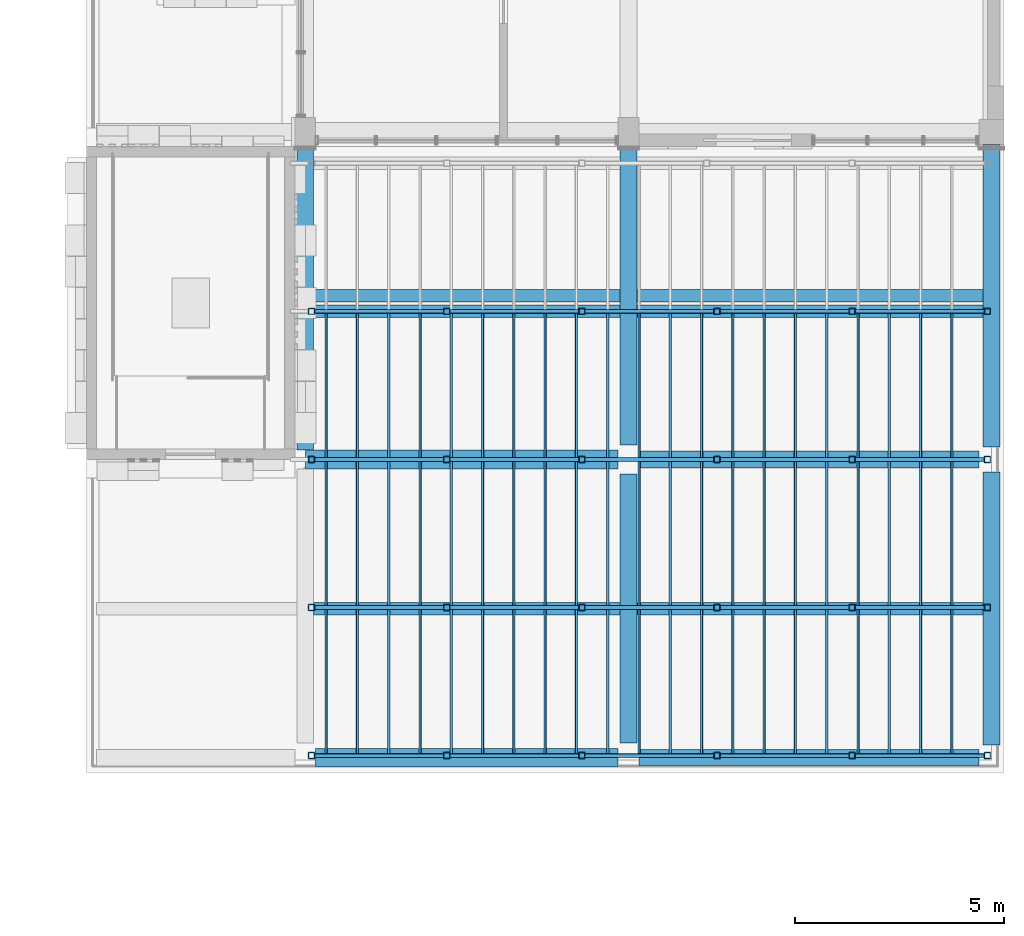
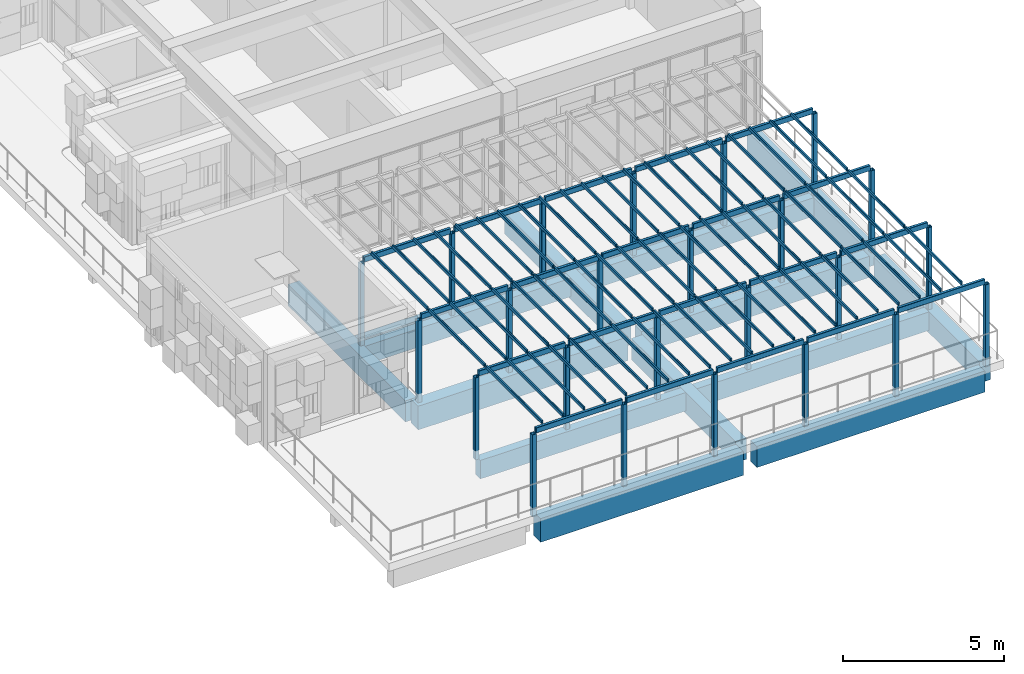
# One storey, part 3 of 26: 87 members, 35 beams.
"""IFC4 building model written with IfcOpenShell, lengths in metres."""

import ifcopenshell
import ifcopenshell.guid

model = None  # the IFC model being written
_history = None  # IfcOwnerHistory: only IFC2X3 demands one
_inside = {}  # id of a spatial element -> (the spatial element, [elements in it])
_under = {}  # id of a project, library or spatial element -> (it, [spatial elements below it])
_declared = {}  # id of a project -> (the project, [libraries it declares])
_typed = {}  # id of a type object -> (the type object, [elements of that type])
_made_of = {}  # id of a material, layer set ... -> (it, [elements and type objects made of it])


def new_model(schema):
    """Start an empty IFC model of exactly this schema.

    Asked for "IFC4X3", IfcOpenShell would pick the latest addendum, in which some entities
    have other attributes; the version numbers below select the first issue.
    IFC2X3 requires an IfcOwnerHistory on every rooted entity: one is made here for all.
    """
    global model, _history
    if schema == "IFC4X3":
        model = ifcopenshell.file(schema_version=(4, 3, 0, 0))
    else:
        model = ifcopenshell.file(schema=schema)
    _inside.clear()
    _under.clear()
    _declared.clear()
    _typed.clear()
    _made_of.clear()
    _history = None
    if model.schema == "IFC2X3":
        org = make("IfcOrganization", Name="unknown")
        user = make(
            "IfcPersonAndOrganization",
            ThePerson=make("IfcPerson", FamilyName="unknown"),
            TheOrganization=org,
        )
        app = make(
            "IfcApplication",
            ApplicationDeveloper=org,
            Version="unknown",
            ApplicationFullName="unknown",
            ApplicationIdentifier="unknown",
        )
        _history = make(
            "IfcOwnerHistory",
            OwningUser=user,
            OwningApplication=app,
            ChangeAction="ADDED",
            CreationDate=0,
        )
    return model


def make(cls, **values):
    """One entity of the class cls with the attributes given. An attribute that is None is left unset."""
    return model.create_entity(
        cls, **{name: value for name, value in values.items() if value is not None}
    )


def rooted(cls, **values):
    """An entity with a GlobalId (a new one), such as an element, a storey or a relation."""
    return make(cls, GlobalId=ifcopenshell.guid.new(), OwnerHistory=_history, **values)


def si_unit(unit_type, name, prefix=None):
    """IfcSIUnit, for example si_unit("LENGTHUNIT", "METRE", prefix="MILLI")."""
    return make("IfcSIUnit", UnitType=unit_type, Prefix=prefix, Name=name)


def assignment(units):
    """IfcUnitAssignment: the units of a project."""
    return None if units is None else make("IfcUnitAssignment", Units=units)


def point(xyz):
    """IfcCartesianPoint."""
    return None if xyz is None else make("IfcCartesianPoint", Coordinates=xyz)


def direction(xyz):
    """IfcDirection."""
    return None if xyz is None else make("IfcDirection", DirectionRatios=xyz)


def frame(location, z_axis=None, x_axis=None):
    """IfcAxis2Placement3D, a coordinate frame: its origin and axes. An axis left out is left unset."""
    return make(
        "IfcAxis2Placement3D",
        Location=point(location),
        Axis=direction(z_axis),
        RefDirection=direction(x_axis),
    )


def frame_2d(location, x_axis=None):
    """IfcAxis2Placement2D, a coordinate frame in the plane: its origin and x axis."""
    return make(
        "IfcAxis2Placement2D", Location=point(location), RefDirection=direction(x_axis)
    )


def origin():
    """The frame at (0, 0, 0) with its axes left unset."""
    return frame((0.0, 0.0, 0.0))


def origin_2d():
    """The frame at (0, 0) in the plane with its x axis left unset."""
    return frame_2d((0.0, 0.0))


def place(relative_to, where):
    """IfcLocalPlacement: puts the frame where relative to a parent placement (None: the world)."""
    return make(
        "IfcLocalPlacement", PlacementRelTo=relative_to, RelativePlacement=where
    )


def context(
    kind, dimensions, precision=None, world=None, true_north=None, identifier=None
):
    """IfcGeometricRepresentationContext, for example the 3D "Model" context."""
    return make(
        "IfcGeometricRepresentationContext",
        ContextIdentifier=identifier,
        ContextType=kind,
        CoordinateSpaceDimension=dimensions,
        Precision=precision,
        WorldCoordinateSystem=world,
        TrueNorth=true_north,
    )


def subcontext(parent, identifier, kind, view, scale=None):
    """IfcGeometricRepresentationSubContext, for example "Body" below "Model"."""
    return make(
        "IfcGeometricRepresentationSubContext",
        ContextIdentifier=identifier,
        ContextType=kind,
        ParentContext=parent,
        TargetScale=scale,
        TargetView=view,
    )


def project(units=None, contexts=None):
    """IfcProject with its units and contexts."""
    return rooted(
        "IfcProject",
        Name="project",
        RepresentationContexts=contexts,
        UnitsInContext=assignment(units),
    )


def spatial(cls, under=None, at=None, **own):
    """A site, building, storey or space (cls), placed at a placement, below another one or the project."""
    s = rooted(cls, ObjectPlacement=at, **own)
    if under is not None:
        _under.setdefault(under.id(), (under, []))[1].append(s)
    return s


def profile(cls, at=None, kind="AREA", **sizes):
    """A parametric profile (cls). Its sizes go by their IFC names, for example OverallWidth=200.0."""
    return make(cls, ProfileType=kind, Position=at, **sizes)


def rectangle(**sizes):
    """IfcRectangleProfileDef."""
    return profile("IfcRectangleProfileDef", **sizes)


def hollow_rectangle(**sizes):
    """IfcRectangleHollowProfileDef."""
    return profile("IfcRectangleHollowProfileDef", **sizes)


def extrude(swept, where, along, depth):
    """IfcExtrudedAreaSolid: the profile swept, set in the frame where, extruded along a direction by depth."""
    return make(
        "IfcExtrudedAreaSolid",
        SweptArea=swept,
        Position=where,
        ExtrudedDirection=direction(along),
        Depth=depth,
    )


def shape(context_of_items, identifier, shape_type, items):
    """IfcShapeRepresentation: the items that make up one representation, for example the "Body"."""
    return make(
        "IfcShapeRepresentation",
        ContextOfItems=context_of_items,
        RepresentationIdentifier=identifier,
        RepresentationType=shape_type,
        Items=items,
    )


def material(Name=None, Category=None):
    """IfcMaterial."""
    return make("IfcMaterial", Name=Name, Category=Category)


def material_profile(
    of_material, cross_section, Name=None, Category=None, Priority=None
):
    """IfcMaterialProfile: a cross section and its material."""
    return make(
        "IfcMaterialProfile",
        Name=Name,
        Material=of_material,
        Profile=cross_section,
        Priority=Priority,
        Category=Category,
    )


def profile_set(profiles, Name=None, composite=None):
    """IfcMaterialProfileSet."""
    return make(
        "IfcMaterialProfileSet",
        Name=Name,
        MaterialProfiles=profiles,
        CompositeProfile=composite,
    )


def made_of(thing, what):
    """Note that an element or type object is made of a material, layer set ...; save() writes the relation."""
    if what is not None:
        _made_of.setdefault(what.id(), (what, []))[1].append(thing)
    return thing


def type_object(cls, material=None, **own):
    """A type object (cls), such as IfcWallType, which elements share."""
    return made_of(rooted(cls, **own), material)


def element(
    cls,
    number,
    at=None,
    inside=None,
    cuts=None,
    type_object=None,
    material=None,
    context=None,
    identifier="Body",
    shape_type=None,
    held_by="IfcProductDefinitionShape",
    body=None,
    shapes=None,
    **own,
):
    """One element of the class cls, such as IfcWall. Its Tag is "e" and its number.

    at: its placement. inside: the storey or other place that contains it. cuts: it is an
    opening in that element (IfcRelVoidsElement). A single representation is given by context,
    identifier, shape_type and body (its items); several are given by shapes. held_by: the class
    of the entity that holds the representations. save() writes the other relations.
    """
    e = rooted(cls, Tag="e%d" % number, ObjectPlacement=at, **own)
    if body is not None:
        shapes = [shape(context, identifier, shape_type, body)]
    if shapes is not None:
        e.Representation = make(held_by, Representations=shapes)
    if inside is not None:
        _inside.setdefault(inside.id(), (inside, []))[1].append(e)
    if cuts is not None:
        rooted(
            "IfcRelVoidsElement", RelatingBuildingElement=cuts, RelatedOpeningElement=e
        )
    if type_object is not None:
        _typed.setdefault(type_object.id(), (type_object, []))[1].append(e)
    return made_of(e, material)


def aggregate(whole, parts):
    """IfcRelAggregates: a whole, such as a stair, and the parts it consists of."""
    return rooted("IfcRelAggregates", RelatingObject=whole, RelatedObjects=parts)


def save(model, path):
    """Write the relations noted so far, then the file.

    IfcRelAggregates (storeys below a building ...), IfcRelContainedInSpatialStructure (elements
    in a storey), IfcRelDefinesByType, IfcRelAssociatesMaterial and IfcRelDeclares: one each for
    every whole, place, type object, material and project.
    """
    for whole, parts in _under.values():
        aggregate(whole, parts)
    for where, things in _inside.values():
        rooted(
            "IfcRelContainedInSpatialStructure",
            RelatedElements=things,
            RelatingStructure=where,
        )
    for kind, things in _typed.values():
        rooted("IfcRelDefinesByType", RelatedObjects=things, RelatingType=kind)
    for what, things in _made_of.values():
        rooted("IfcRelAssociatesMaterial", RelatedObjects=things, RelatingMaterial=what)
    for by, libraries in _declared.values():
        rooted("IfcRelDeclares", RelatingContext=by, RelatedDefinitions=libraries)
    model.write(path)


model = new_model("IFC4")

# Units and contexts
model_context = context("Model", 3, precision=1e-05, world=origin(), true_north=direction((0.0, 1.0)))
body_context = subcontext(model_context, "Body", "Model", "MODEL_VIEW")
ifc_project = project(units=[si_unit("LENGTHUNIT", "METRE"), si_unit("AREAUNIT", "SQUARE_METRE"), si_unit("VOLUMEUNIT", "CUBIC_METRE"), si_unit("PLANEANGLEUNIT", "RADIAN"), si_unit("MASSUNIT", "GRAM", prefix="KILO")], contexts=[model_context])

# Site, building, storey
site_placement = place(None, origin())
site = spatial("IfcSite", under=ifc_project, at=site_placement, CompositionType="ELEMENT")
building_placement = place(site_placement, origin())
building = spatial("IfcBuilding", under=site, at=building_placement, Name="Sun Court Science Centre", CompositionType="ELEMENT")
storey_placement = place(building_placement, frame((0.0, 0.0, 29.25)))
storey = spatial("IfcBuildingStorey", under=building, at=storey_placement, Name="L06", CompositionType="ELEMENT", Elevation=29.25)

# Members
ifc_material_1 = material(Name="Steel S275", Category="steel")
ifc_material_profile_1 = material_profile(ifc_material_1, hollow_rectangle(XDim=0.14990234375, YDim=0.14990234375, WallThickness=0.008056640625, InnerFilletRadius=0.008056640625, OuterFilletRadius=0.011962890625, at=origin_2d()), Name="SHS 150x150x8")
ifc_profile_set_1 = profile_set([ifc_material_profile_1], Name="Steel S275")
member_type_1 = type_object("IfcMemberType", Name="Pergola post SHS 150x150x8", PredefinedType="POST", material=ifc_profile_set_1)
for number, where, z_axis, x_axis, name in (
    (1, (87.39990234375, 28.89990234375, -0.300048828125), (0.0, 0.0, 1.0), (1.0, 0.0, 0.0), "Pergola post 1.1"),
    (2, (87.39990234375, 32.449951171875, -0.300048828125), (0.0, 0.0, 1.0), (1.0, 0.0, 0.0), "Pergola post 1.2"),
    (3, (87.39990234375, 36.0, -0.300048828125), (0.0, 0.0, 1.0), (1.0, 0.0, 0.0), "Pergola post 1.3"),
    (4, (87.39990234375, 39.550048828125, -0.300048828125), (0.0, 0.0, 1.0), (1.0, 0.0, 0.0), "Pergola post 1.4"),
    (5, (90.639892578125, 28.89990234375, -0.300048828125), (0.0, 0.0, 1.0), (1.0, 0.0, 0.0), "Pergola post 2.1"),
    (6, (90.639892578125, 32.449951171875, -0.300048828125), (0.0, 0.0, 1.0), (1.0, 0.0, 0.0), "Pergola post 2.2"),
    (7, (90.639892578125, 36.0, -0.300048828125), (0.0, 0.0, 1.0), (1.0, 0.0, 0.0), "Pergola post 2.3"),
    (8, (90.639892578125, 39.550048828125, -0.300048828125), (0.0, 0.0, 1.0), (1.0, 0.0, 0.0), "Pergola post 2.4"),
    (9, (93.8798828125, 28.89990234375, -0.300048828125), (0.0, 0.0, 1.0), (1.0, 0.0, 0.0), "Pergola post 3.1"),
    (10, (93.8798828125, 32.449951171875, -0.300048828125), (0.0, 0.0, 1.0), (1.0, 0.0, 0.0), "Pergola post 3.2"),
    (11, (93.8798828125, 36.0, -0.300048828125), (0.0, 0.0, 1.0), (1.0, 0.0, 0.0), "Pergola post 3.3"),
    (12, (93.8798828125, 39.550048828125, -0.300048828125), (0.0, 0.0, 1.0), (1.0, 0.0, 0.0), "Pergola post 3.4"),
    (13, (97.1201171875, 28.89990234375, -0.300048828125), (0.0, 0.0, 1.0), (1.0, 0.0, 0.0), "Pergola post 4.1"),
    (14, (97.1201171875, 32.449951171875, -0.300048828125), (0.0, 0.0, 1.0), (1.0, 0.0, 0.0), "Pergola post 4.2"),
    (15, (97.1201171875, 36.0, -0.300048828125), (0.0, 0.0, 1.0), (1.0, 0.0, 0.0), "Pergola post 4.3"),
    (16, (97.1201171875, 39.550048828125, -0.300048828125), (0.0, 0.0, 1.0), (1.0, 0.0, 0.0), "Pergola post 4.4"),
    (17, (100.360107421875, 28.89990234375, -0.300048828125), (0.0, 0.0, 1.0), (1.0, 0.0, 0.0), "Pergola post 5.1"),
    (18, (100.360107421875, 32.449951171875, -0.300048828125), (0.0, 0.0, 1.0), (1.0, 0.0, 0.0), "Pergola post 5.2"),
    (19, (100.360107421875, 36.0, -0.300048828125), (0.0, 0.0, 1.0), (1.0, 0.0, 0.0), "Pergola post 5.3"),
    (20, (100.360107421875, 39.550048828125, -0.300048828125), (0.0, 0.0, 1.0), (1.0, 0.0, 0.0), "Pergola post 5.4"),
    (21, (103.60009765625, 28.89990234375, -0.300048828125), (0.0, 0.0, 1.0), (1.0, 0.0, 0.0), "Pergola post 6.1"),
    (22, (103.60009765625, 32.449951171875, -0.300048828125), (0.0, 0.0, 1.0), (1.0, 0.0, 0.0), "Pergola post 6.2"),
    (23, (103.60009765625, 36.0, -0.300048828125), (0.0, 0.0, 1.0), (1.0, 0.0, 0.0), "Pergola post 6.3"),
    (24, (103.60009765625, 39.550048828125, -0.300048828125), (0.0, 0.0, 1.0), (1.0, 0.0, 0.0), "Pergola post 6.4"),
):
    element("IfcMember", number, at=place(storey_placement, frame(where, z_axis=z_axis, x_axis=x_axis)), inside=storey, type_object=member_type_1, Name=name, PredefinedType="POST", context=body_context, shape_type="SweptSolid", body=[
        extrude(hollow_rectangle(XDim=0.14990234375, YDim=0.14990234375, WallThickness=0.008056640625, InnerFilletRadius=0.008056640625, OuterFilletRadius=0.011962890625, at=origin_2d()), origin(), (0.0, 0.0, 1.0), 3.10009765625),
    ])
ifc_material_2 = material(Name="Steel S275", Category="steel")
ifc_material_profile_2 = material_profile(ifc_material_2, hollow_rectangle(XDim=0.06005859375, YDim=0.1201171875, WallThickness=0.0048828125, InnerFilletRadius=0.0048828125, OuterFilletRadius=0.007568359375, at=origin_2d()), Name="RHS 120x60x5")
ifc_profile_set_2 = profile_set([ifc_material_profile_2], Name="Steel S275")
member_type_2 = type_object("IfcMemberType", Name="Pergola rafter RHS 120x60x5", PredefinedType="RAFTER", material=ifc_profile_set_2)
for number, where, z_axis, x_axis, name in (
    (25, (87.75, 28.949951171875, 3.06005859375), (0.0, 1.0, 0.0), (-1.0, 0.0, 0.0), "Pergola rafter"),
    (26, (87.75, 32.5, 3.06005859375), (0.0, 1.0, 0.0), (-1.0, 0.0, 0.0), "Pergola rafter"),
    (27, (87.75, 36.050048828125, 3.06005859375), (0.0, 1.0, 0.0), (-1.0, 0.0, 0.0), "Pergola rafter"),
    (28, (88.5, 28.949951171875, 3.06005859375), (0.0, 1.0, 0.0), (-1.0, 0.0, 0.0), "Pergola rafter"),
    (29, (88.5, 32.5, 3.06005859375), (0.0, 1.0, 0.0), (-1.0, 0.0, 0.0), "Pergola rafter"),
    (30, (88.5, 36.050048828125, 3.06005859375), (0.0, 1.0, 0.0), (-1.0, 0.0, 0.0), "Pergola rafter"),
    (31, (89.25, 28.949951171875, 3.06005859375), (0.0, 1.0, 0.0), (-1.0, 0.0, 0.0), "Pergola rafter"),
    (32, (89.25, 32.5, 3.06005859375), (0.0, 1.0, 0.0), (-1.0, 0.0, 0.0), "Pergola rafter"),
    (33, (89.25, 36.050048828125, 3.06005859375), (0.0, 1.0, 0.0), (-1.0, 0.0, 0.0), "Pergola rafter"),
    (34, (90.0, 28.949951171875, 3.06005859375), (0.0, 1.0, 0.0), (-1.0, 0.0, 0.0), "Pergola rafter"),
    (35, (90.0, 32.5, 3.06005859375), (0.0, 1.0, 0.0), (-1.0, 0.0, 0.0), "Pergola rafter"),
    (36, (90.0, 36.050048828125, 3.06005859375), (0.0, 1.0, 0.0), (-1.0, 0.0, 0.0), "Pergola rafter"),
    (37, (90.75, 28.949951171875, 3.06005859375), (0.0, 1.0, 0.0), (-1.0, 0.0, 0.0), "Pergola rafter"),
    (38, (90.75, 32.5, 3.06005859375), (0.0, 1.0, 0.0), (-1.0, 0.0, 0.0), "Pergola rafter"),
    (39, (90.75, 36.050048828125, 3.06005859375), (0.0, 1.0, 0.0), (-1.0, 0.0, 0.0), "Pergola rafter"),
    (40, (91.5, 28.949951171875, 3.06005859375), (0.0, 1.0, 0.0), (-1.0, 0.0, 0.0), "Pergola rafter"),
    (41, (91.5, 32.5, 3.06005859375), (0.0, 1.0, 0.0), (-1.0, 0.0, 0.0), "Pergola rafter"),
    (42, (91.5, 36.050048828125, 3.06005859375), (0.0, 1.0, 0.0), (-1.0, 0.0, 0.0), "Pergola rafter"),
    (43, (92.25, 28.949951171875, 3.06005859375), (0.0, 1.0, 0.0), (-1.0, 0.0, 0.0), "Pergola rafter"),
    (44, (92.25, 32.5, 3.06005859375), (0.0, 1.0, 0.0), (-1.0, 0.0, 0.0), "Pergola rafter"),
    (45, (92.25, 36.050048828125, 3.06005859375), (0.0, 1.0, 0.0), (-1.0, 0.0, 0.0), "Pergola rafter"),
    (46, (93.0, 28.949951171875, 3.06005859375), (0.0, 1.0, 0.0), (-1.0, 0.0, 0.0), "Pergola rafter"),
    (47, (93.0, 32.5, 3.06005859375), (0.0, 1.0, 0.0), (-1.0, 0.0, 0.0), "Pergola rafter"),
    (48, (93.0, 36.050048828125, 3.06005859375), (0.0, 1.0, 0.0), (-1.0, 0.0, 0.0), "Pergola rafter"),
    (49, (93.75, 28.949951171875, 3.06005859375), (0.0, 1.0, 0.0), (-1.0, 0.0, 0.0), "Pergola rafter"),
    (50, (93.75, 32.5, 3.06005859375), (0.0, 1.0, 0.0), (-1.0, 0.0, 0.0), "Pergola rafter"),
    (51, (93.75, 36.050048828125, 3.06005859375), (0.0, 1.0, 0.0), (-1.0, 0.0, 0.0), "Pergola rafter"),
    (52, (94.5, 28.949951171875, 3.06005859375), (0.0, 1.0, 0.0), (-1.0, 0.0, 0.0), "Pergola rafter"),
    (53, (94.5, 32.5, 3.06005859375), (0.0, 1.0, 0.0), (-1.0, 0.0, 0.0), "Pergola rafter"),
    (54, (94.5, 36.050048828125, 3.06005859375), (0.0, 1.0, 0.0), (-1.0, 0.0, 0.0), "Pergola rafter"),
    (55, (95.25, 28.949951171875, 3.06005859375), (0.0, 1.0, 0.0), (-1.0, 0.0, 0.0), "Pergola rafter"),
    (56, (95.25, 32.5, 3.06005859375), (0.0, 1.0, 0.0), (-1.0, 0.0, 0.0), "Pergola rafter"),
    (57, (95.25, 36.050048828125, 3.06005859375), (0.0, 1.0, 0.0), (-1.0, 0.0, 0.0), "Pergola rafter"),
    (58, (96.0, 28.949951171875, 3.06005859375), (0.0, 1.0, 0.0), (-1.0, 0.0, 0.0), "Pergola rafter"),
    (59, (96.0, 32.5, 3.06005859375), (0.0, 1.0, 0.0), (-1.0, 0.0, 0.0), "Pergola rafter"),
    (60, (96.0, 36.050048828125, 3.06005859375), (0.0, 1.0, 0.0), (-1.0, 0.0, 0.0), "Pergola rafter"),
    (61, (96.75, 28.949951171875, 3.06005859375), (0.0, 1.0, 0.0), (-1.0, 0.0, 0.0), "Pergola rafter"),
    (62, (96.75, 32.5, 3.06005859375), (0.0, 1.0, 0.0), (-1.0, 0.0, 0.0), "Pergola rafter"),
    (63, (96.75, 36.050048828125, 3.06005859375), (0.0, 1.0, 0.0), (-1.0, 0.0, 0.0), "Pergola rafter"),
    (64, (97.5, 28.949951171875, 3.06005859375), (0.0, 1.0, 0.0), (-1.0, 0.0, 0.0), "Pergola rafter"),
    (65, (97.5, 32.5, 3.06005859375), (0.0, 1.0, 0.0), (-1.0, 0.0, 0.0), "Pergola rafter"),
    (66, (97.5, 36.050048828125, 3.06005859375), (0.0, 1.0, 0.0), (-1.0, 0.0, 0.0), "Pergola rafter"),
    (67, (98.25, 28.949951171875, 3.06005859375), (0.0, 1.0, 0.0), (-1.0, 0.0, 0.0), "Pergola rafter"),
    (68, (98.25, 32.5, 3.06005859375), (0.0, 1.0, 0.0), (-1.0, 0.0, 0.0), "Pergola rafter"),
    (69, (98.25, 36.050048828125, 3.06005859375), (0.0, 1.0, 0.0), (-1.0, 0.0, 0.0), "Pergola rafter"),
    (70, (99.0, 28.949951171875, 3.06005859375), (0.0, 1.0, 0.0), (-1.0, 0.0, 0.0), "Pergola rafter"),
    (71, (99.0, 32.5, 3.06005859375), (0.0, 1.0, 0.0), (-1.0, 0.0, 0.0), "Pergola rafter"),
    (72, (99.0, 36.050048828125, 3.06005859375), (0.0, 1.0, 0.0), (-1.0, 0.0, 0.0), "Pergola rafter"),
    (73, (99.75, 28.949951171875, 3.06005859375), (0.0, 1.0, 0.0), (-1.0, 0.0, 0.0), "Pergola rafter"),
    (74, (99.75, 32.5, 3.06005859375), (0.0, 1.0, 0.0), (-1.0, 0.0, 0.0), "Pergola rafter"),
    (75, (99.75, 36.050048828125, 3.06005859375), (0.0, 1.0, 0.0), (-1.0, 0.0, 0.0), "Pergola rafter"),
    (76, (100.5, 28.949951171875, 3.06005859375), (0.0, 1.0, 0.0), (-1.0, 0.0, 0.0), "Pergola rafter"),
    (77, (100.5, 32.5, 3.06005859375), (0.0, 1.0, 0.0), (-1.0, 0.0, 0.0), "Pergola rafter"),
    (78, (100.5, 36.050048828125, 3.06005859375), (0.0, 1.0, 0.0), (-1.0, 0.0, 0.0), "Pergola rafter"),
    (79, (101.25, 28.949951171875, 3.06005859375), (0.0, 1.0, 0.0), (-1.0, 0.0, 0.0), "Pergola rafter"),
    (80, (101.25, 32.5, 3.06005859375), (0.0, 1.0, 0.0), (-1.0, 0.0, 0.0), "Pergola rafter"),
    (81, (101.25, 36.050048828125, 3.06005859375), (0.0, 1.0, 0.0), (-1.0, 0.0, 0.0), "Pergola rafter"),
    (82, (102.0, 28.949951171875, 3.06005859375), (0.0, 1.0, 0.0), (-1.0, 0.0, 0.0), "Pergola rafter"),
    (83, (102.0, 32.5, 3.06005859375), (0.0, 1.0, 0.0), (-1.0, 0.0, 0.0), "Pergola rafter"),
    (84, (102.0, 36.050048828125, 3.06005859375), (0.0, 1.0, 0.0), (-1.0, 0.0, 0.0), "Pergola rafter"),
    (85, (102.75, 28.949951171875, 3.06005859375), (0.0, 1.0, 0.0), (-1.0, 0.0, 0.0), "Pergola rafter"),
    (86, (102.75, 32.5, 3.06005859375), (0.0, 1.0, 0.0), (-1.0, 0.0, 0.0), "Pergola rafter"),
    (87, (102.75, 36.050048828125, 3.06005859375), (0.0, 1.0, 0.0), (-1.0, 0.0, 0.0), "Pergola rafter"),
):
    element("IfcMember", number, at=place(storey_placement, frame(where, z_axis=z_axis, x_axis=x_axis)), inside=storey, type_object=member_type_2, Name=name, PredefinedType="RAFTER", context=body_context, shape_type="SweptSolid", body=[
        extrude(hollow_rectangle(XDim=0.06005859375, YDim=0.1201171875, WallThickness=0.0048828125, InnerFilletRadius=0.0048828125, OuterFilletRadius=0.007568359375, at=origin_2d()), origin(), (0.0, 0.0, 1.0), 3.449951171875),
    ])

# Beams
ifc_material_3 = material(Name="Concrete C25/30", Category="concrete")
ifc_material_profile_3 = material_profile(ifc_material_3, rectangle(XDim=0.39990234375, YDim=0.800048828125, at=origin_2d()), Name="RC 400x800")
ifc_profile_set_3 = profile_set([ifc_material_profile_3], Name="Concrete C25/30")
beam_type_1 = type_object("IfcBeamType", Name="RC girder 400x800", PredefinedType="BEAM", material=ifc_profile_set_3)
for number, where, z_axis, x_axis, name in (
    (88, (95.25, 28.85009765625, -0.699951171875), (1.0, 0.0, 0.0), (0.0, 1.0, 0.0), "Girder L06 row 1"),
    (89, (95.25, 36.0, -0.699951171875), (1.0, 0.0, 0.0), (0.0, 1.0, 0.0), "Girder L06 row 2"),
):
    element("IfcBeam", number, at=place(storey_placement, frame(where, z_axis=z_axis, x_axis=x_axis)), inside=storey, type_object=beam_type_1, Name=name, PredefinedType="BEAM", context=body_context, shape_type="SweptSolid", body=[
        extrude(rectangle(XDim=0.39990234375, YDim=0.800048828125, at=origin_2d()), origin(), (0.0, 0.0, 1.0), 8.14990234375),
    ])
beam_1_placement = place(storey_placement, frame((87.25, 36.22509765625, -0.699951171875), z_axis=(0.0, 1.0, 0.0), x_axis=(-1.0, 0.0, 0.0)))
element("IfcBeam", 90, at=beam_1_placement, inside=storey, type_object=beam_type_1, Name="Girder L06 line 1", PredefinedType="BEAM", context=body_context, shape_type="SweptSolid", body=[
    extrude(rectangle(XDim=0.39990234375, YDim=0.800048828125, at=origin_2d()), origin(), (0.0, 0.0, 1.0), 7.27490234375),
])
beam_2_placement = place(storey_placement, frame((95.0, 29.199951171875, -0.699951171875), z_axis=(0.0, 1.0, 0.0), x_axis=(-1.0, 0.0, 0.0)))
element("IfcBeam", 91, at=beam_2_placement, inside=storey, type_object=beam_type_1, Name="Girder L06 line 2", PredefinedType="BEAM", context=body_context, shape_type="SweptSolid", body=[
    extrude(rectangle(XDim=0.39990234375, YDim=0.800048828125, at=origin_2d()), origin(), (0.0, 0.0, 1.0), 6.449951171875),
])
beam_3_placement = place(storey_placement, frame((95.0, 36.35009765625, -0.699951171875), z_axis=(0.0, 1.0, 0.0), x_axis=(-1.0, 0.0, 0.0)))
element("IfcBeam", 92, at=beam_3_placement, inside=storey, type_object=beam_type_1, Name="Girder L06 line 2", PredefinedType="BEAM", context=body_context, shape_type="SweptSolid", body=[
    extrude(rectangle(XDim=0.39990234375, YDim=0.800048828125, at=origin_2d()), origin(), (0.0, 0.0, 1.0), 7.14990234375),
])
beam_4_placement = place(storey_placement, frame((103.699951171875, 29.14990234375, -0.699951171875), z_axis=(0.0, 1.0, 0.0), x_axis=(-1.0, 0.0, 0.0)))
element("IfcBeam", 93, at=beam_4_placement, inside=storey, type_object=beam_type_1, Name="Girder L06 line 3", PredefinedType="BEAM", context=body_context, shape_type="SweptSolid", body=[
    extrude(rectangle(XDim=0.39990234375, YDim=0.800048828125, at=origin_2d()), origin(), (0.0, 0.0, 1.0), 6.550048828125),
])
beam_5_placement = place(storey_placement, frame((103.699951171875, 36.300048828125, -0.699951171875), z_axis=(0.0, 1.0, 0.0), x_axis=(-1.0, 0.0, 0.0)))
element("IfcBeam", 94, at=beam_5_placement, inside=storey, type_object=beam_type_1, Name="Girder L06 line 3", PredefinedType="BEAM", context=body_context, shape_type="SweptSolid", body=[
    extrude(rectangle(XDim=0.39990234375, YDim=0.800048828125, at=origin_2d()), origin(), (0.0, 0.0, 1.0), 7.25),
])
ifc_material_4 = material(Name="Concrete C25/30", Category="concrete")
ifc_material_profile_4 = material_profile(ifc_material_4, rectangle(XDim=0.449951171875, YDim=0.89990234375, at=origin_2d()), Name="RC 450x900")
ifc_profile_set_4 = profile_set([ifc_material_profile_4], Name="Concrete C25/30")
beam_type_2 = type_object("IfcBeamType", Name="RC girder 450x900", PredefinedType="BEAM", material=ifc_profile_set_4)
beam_6_placement = place(storey_placement, frame((87.5, 28.85009765625, -0.75), z_axis=(1.0, 0.0, 0.0), x_axis=(0.0, 1.0, 0.0)))
element("IfcBeam", 95, at=beam_6_placement, inside=storey, type_object=beam_type_2, Name="Girder L06 row 1", PredefinedType="BEAM", context=body_context, shape_type="SweptSolid", body=[
    extrude(rectangle(XDim=0.449951171875, YDim=0.89990234375, at=origin_2d()), origin(), (0.0, 0.0, 1.0), 7.25),
])
beam_7_placement = place(storey_placement, frame((87.25, 36.0, -0.75), z_axis=(1.0, 0.0, 0.0), x_axis=(0.0, 1.0, 0.0)))
element("IfcBeam", 96, at=beam_7_placement, inside=storey, type_object=beam_type_2, Name="Girder L06 row 2", PredefinedType="BEAM", context=body_context, shape_type="SweptSolid", body=[
    extrude(rectangle(XDim=0.449951171875, YDim=0.89990234375, at=origin_2d()), origin(), (0.0, 0.0, 1.0), 7.5),
])
ifc_material_5 = material(Name="Concrete C25/30", Category="concrete")
ifc_material_profile_5 = material_profile(ifc_material_5, rectangle(XDim=0.300048828125, YDim=0.699951171875, at=origin_2d()), Name="RC 300x700")
ifc_profile_set_5 = profile_set([ifc_material_profile_5], Name="Concrete C25/30")
beam_type_3 = type_object("IfcBeamType", Name="RC joist 300x700", PredefinedType="JOIST", material=ifc_profile_set_5)
beam_8_placement = place(storey_placement, frame((87.449951171875, 32.425048828125, -0.64990234375), z_axis=(1.0, 0.0, 0.0), x_axis=(0.0, 1.0, 0.0)))
element("IfcBeam", 97, at=beam_8_placement, inside=storey, type_object=beam_type_3, Name="Joist L06", PredefinedType="JOIST", context=body_context, shape_type="SweptSolid", body=[
    extrude(rectangle(XDim=0.300048828125, YDim=0.699951171875, at=origin_2d()), origin(), (0.0, 0.0, 1.0), 7.35009765625),
])
beam_9_placement = place(storey_placement, frame((95.199951171875, 32.425048828125, -0.64990234375), z_axis=(1.0, 0.0, 0.0), x_axis=(0.0, 1.0, 0.0)))
element("IfcBeam", 98, at=beam_9_placement, inside=storey, type_object=beam_type_3, Name="Joist L06", PredefinedType="JOIST", context=body_context, shape_type="SweptSolid", body=[
    extrude(rectangle(XDim=0.300048828125, YDim=0.699951171875, at=origin_2d()), origin(), (0.0, 0.0, 1.0), 8.300048828125),
])
beam_10_placement = place(storey_placement, frame((87.449951171875, 39.925048828125, -0.64990234375), z_axis=(1.0, 0.0, 0.0), x_axis=(0.0, 1.0, 0.0)))
element("IfcBeam", 99, at=beam_10_placement, inside=storey, type_object=beam_type_3, Name="Joist L06", PredefinedType="JOIST", context=body_context, shape_type="SweptSolid", body=[
    extrude(rectangle(XDim=0.300048828125, YDim=0.699951171875, at=origin_2d()), origin(), (0.0, 0.0, 1.0), 7.35009765625),
])
beam_11_placement = place(storey_placement, frame((95.199951171875, 39.925048828125, -0.64990234375), z_axis=(1.0, 0.0, 0.0), x_axis=(0.0, 1.0, 0.0)))
element("IfcBeam", 100, at=beam_11_placement, inside=storey, type_object=beam_type_3, Name="Joist L06", PredefinedType="JOIST", context=body_context, shape_type="SweptSolid", body=[
    extrude(rectangle(XDim=0.300048828125, YDim=0.699951171875, at=origin_2d()), origin(), (0.0, 0.0, 1.0), 8.300048828125),
])
beam_12_placement = place(storey_placement, frame((87.449951171875, 39.550048828125, -0.64990234375), z_axis=(1.0, 0.0, 0.0), x_axis=(0.0, 1.0, 0.0)))
element("IfcBeam", 101, at=beam_12_placement, inside=storey, type_object=beam_type_3, Name="Joist L06 under pergola posts", PredefinedType="JOIST", context=body_context, shape_type="SweptSolid", body=[
    extrude(rectangle(XDim=0.300048828125, YDim=0.699951171875, at=origin_2d()), origin(), (0.0, 0.0, 1.0), 7.35009765625),
])
beam_13_placement = place(storey_placement, frame((95.199951171875, 39.550048828125, -0.64990234375), z_axis=(1.0, 0.0, 0.0), x_axis=(0.0, 1.0, 0.0)))
element("IfcBeam", 102, at=beam_13_placement, inside=storey, type_object=beam_type_3, Name="Joist L06 under pergola posts", PredefinedType="JOIST", context=body_context, shape_type="SweptSolid", body=[
    extrude(rectangle(XDim=0.300048828125, YDim=0.699951171875, at=origin_2d()), origin(), (0.0, 0.0, 1.0), 8.300048828125),
])
ifc_material_6 = material(Name="Steel S275", Category="steel")
ifc_material_profile_6 = material_profile(ifc_material_6, hollow_rectangle(XDim=0.10009765625, YDim=0.199951171875, WallThickness=0.008056640625, InnerFilletRadius=0.008056640625, OuterFilletRadius=0.011962890625, at=origin_2d()), Name="RHS 200x100x8")
ifc_profile_set_6 = profile_set([ifc_material_profile_6], Name="Steel S275")
beam_type_4 = type_object("IfcBeamType", Name="Steel beam RHS 200x100x8", PredefinedType="BEAM", material=ifc_profile_set_6)
for number, where, z_axis, x_axis, name in (
    (103, (87.47509765625, 28.89990234375, 2.89990234375), (1.0, 0.0, 0.0), (0.0, 1.0, 0.0), "Pergola beam 1"),
    (104, (90.715087890625, 28.89990234375, 2.89990234375), (1.0, 0.0, 0.0), (0.0, 1.0, 0.0), "Pergola beam 1"),
    (105, (93.955078125, 28.89990234375, 2.89990234375), (1.0, 0.0, 0.0), (0.0, 1.0, 0.0), "Pergola beam 1"),
    (106, (97.195068359375, 28.89990234375, 2.89990234375), (1.0, 0.0, 0.0), (0.0, 1.0, 0.0), "Pergola beam 1"),
    (107, (100.43505859375, 28.89990234375, 2.89990234375), (1.0, 0.0, 0.0), (0.0, 1.0, 0.0), "Pergola beam 1"),
    (108, (87.47509765625, 32.449951171875, 2.89990234375), (1.0, 0.0, 0.0), (0.0, 1.0, 0.0), "Pergola beam 2"),
    (109, (90.715087890625, 32.449951171875, 2.89990234375), (1.0, 0.0, 0.0), (0.0, 1.0, 0.0), "Pergola beam 2"),
    (110, (93.955078125, 32.449951171875, 2.89990234375), (1.0, 0.0, 0.0), (0.0, 1.0, 0.0), "Pergola beam 2"),
    (111, (97.195068359375, 32.449951171875, 2.89990234375), (1.0, 0.0, 0.0), (0.0, 1.0, 0.0), "Pergola beam 2"),
    (112, (100.43505859375, 32.449951171875, 2.89990234375), (1.0, 0.0, 0.0), (0.0, 1.0, 0.0), "Pergola beam 2"),
    (113, (87.47509765625, 36.0, 2.89990234375), (1.0, 0.0, 0.0), (0.0, 1.0, 0.0), "Pergola beam 3"),
    (114, (90.715087890625, 36.0, 2.89990234375), (1.0, 0.0, 0.0), (0.0, 1.0, 0.0), "Pergola beam 3"),
    (115, (93.955078125, 36.0, 2.89990234375), (1.0, 0.0, 0.0), (0.0, 1.0, 0.0), "Pergola beam 3"),
    (116, (97.195068359375, 36.0, 2.89990234375), (1.0, 0.0, 0.0), (0.0, 1.0, 0.0), "Pergola beam 3"),
    (117, (100.43505859375, 36.0, 2.89990234375), (1.0, 0.0, 0.0), (0.0, 1.0, 0.0), "Pergola beam 3"),
    (118, (87.47509765625, 39.550048828125, 2.89990234375), (1.0, 0.0, 0.0), (0.0, 1.0, 0.0), "Pergola beam 4"),
    (119, (90.715087890625, 39.550048828125, 2.89990234375), (1.0, 0.0, 0.0), (0.0, 1.0, 0.0), "Pergola beam 4"),
    (120, (93.955078125, 39.550048828125, 2.89990234375), (1.0, 0.0, 0.0), (0.0, 1.0, 0.0), "Pergola beam 4"),
    (121, (97.195068359375, 39.550048828125, 2.89990234375), (1.0, 0.0, 0.0), (0.0, 1.0, 0.0), "Pergola beam 4"),
    (122, (100.43505859375, 39.550048828125, 2.89990234375), (1.0, 0.0, 0.0), (0.0, 1.0, 0.0), "Pergola beam 4"),
):
    element("IfcBeam", number, at=place(storey_placement, frame(where, z_axis=z_axis, x_axis=x_axis)), inside=storey, type_object=beam_type_4, Name=name, PredefinedType="BEAM", context=body_context, shape_type="SweptSolid", body=[
        extrude(hollow_rectangle(XDim=0.10009765625, YDim=0.199951171875, WallThickness=0.008056640625, InnerFilletRadius=0.008056640625, OuterFilletRadius=0.011962890625, at=origin_2d()), origin(), (0.0, 0.0, 1.0), 3.08984375),
    ])

save(model, "model.ifc")
